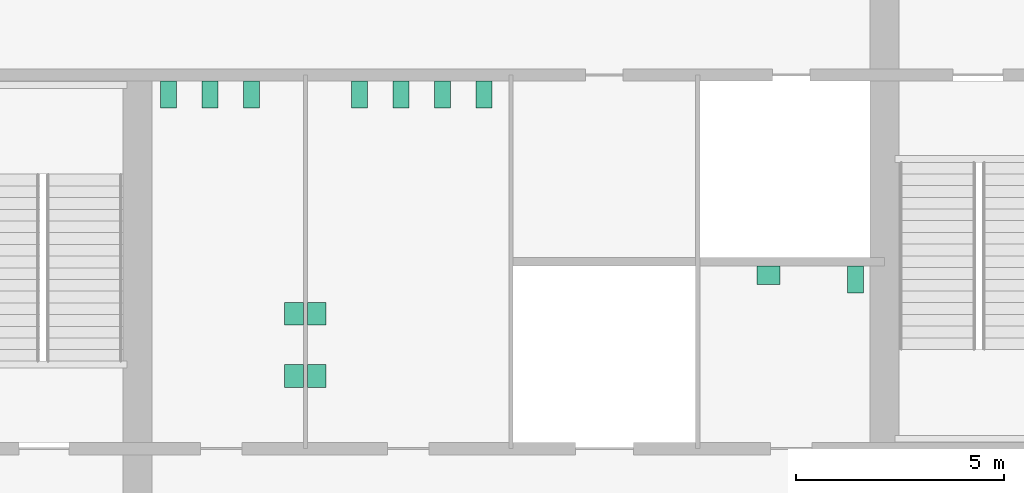
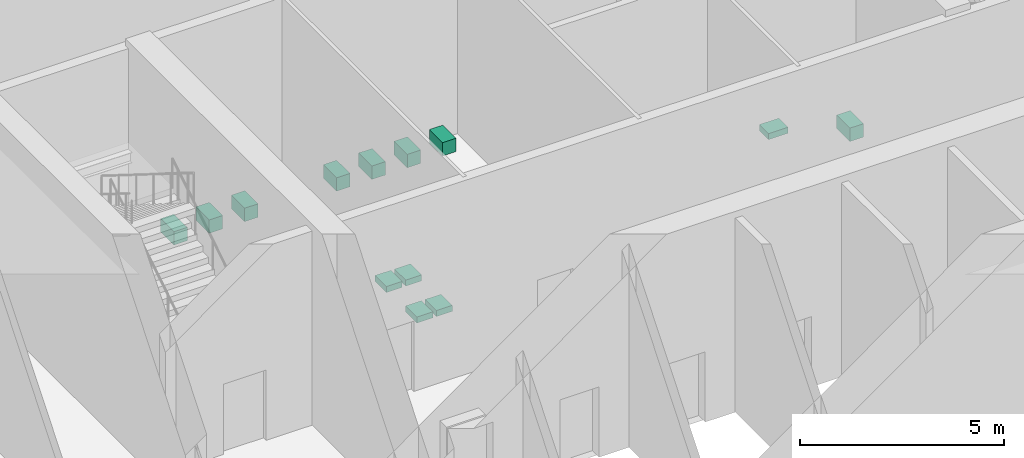
# One storey, part 13 of 13: 13 sanitary terminals.
"""IFC4 building model written with IfcOpenShell, lengths in metres."""

from ifc_helpers import new_model, si_unit, direction, frame, origin, origin_2d, place, context, subcontext, project, spatial, rectangle, extrude, material, type_object, element, save


model = new_model("IFC4")

# Units and contexts
model_context = context("Model", 3, precision=1e-05, world=origin(), true_north=direction((0.0, 1.0)))
body_context = subcontext(model_context, "Body", "Model", "MODEL_VIEW")
ifc_project = project(units=[si_unit("LENGTHUNIT", "METRE"), si_unit("AREAUNIT", "SQUARE_METRE"), si_unit("VOLUMEUNIT", "CUBIC_METRE"), si_unit("PLANEANGLEUNIT", "RADIAN"), si_unit("MASSUNIT", "GRAM", prefix="KILO")], contexts=[model_context])

# Site, building, storey
site_placement = place(None, origin())
site = spatial("IfcSite", under=ifc_project, at=site_placement, CompositionType="ELEMENT")
building_placement = place(site_placement, origin())
building = spatial("IfcBuilding", under=site, at=building_placement, Name="Corais Broadcast Tower", CompositionType="ELEMENT")
storey_placement = place(building_placement, frame((0.0, 0.0, 12.0)))
storey = spatial("IfcBuildingStorey", under=building, at=storey_placement, Name="L02", CompositionType="ELEMENT", Elevation=12.0)

# Sanitary terminals
ifc_material_1 = material(Name="Vitreous china", Category="ceramic")
sanitary_terminal_type_1 = type_object("IfcSanitaryTerminalType", Name="WC pan 380x650", PredefinedType="TOILETPAN", material=ifc_material_1)
for number, where, z_axis, x_axis, name in (
    (1, (18.75, 31.02490234375, 0.0), (0.0, 0.0, 1.0), (1.0, 0.0, 0.0), "SW1 WC pan, male toilets L02"),
    (2, (19.75, 31.02490234375, 0.0), (0.0, 0.0, 1.0), (1.0, 0.0, 0.0), "SW1 WC pan, male toilets L02"),
    (3, (20.75, 31.02490234375, 0.0), (0.0, 0.0, 1.0), (1.0, 0.0, 0.0), "SW1 WC pan, male toilets L02"),
    (4, (23.35009765625, 31.02490234375, 0.0), (0.0, 0.0, 1.0), (1.0, 0.0, 0.0), "SW1 WC pan, female toilets L02"),
    (5, (24.35009765625, 31.02490234375, 0.0), (0.0, 0.0, 1.0), (1.0, 0.0, 0.0), "SW1 WC pan, female toilets L02"),
    (6, (25.35009765625, 31.02490234375, 0.0), (0.0, 0.0, 1.0), (1.0, 0.0, 0.0), "SW1 WC pan, female toilets L02"),
    (7, (26.35009765625, 31.02490234375, 0.0), (0.0, 0.0, 1.0), (1.0, 0.0, 0.0), "SW1 WC pan, female toilets L02"),
    (8, (35.300048828125, 26.574951171875, 0.0), (0.0, 0.0, 1.0), (1.0, 0.0, 0.0), "SW1 WC pan, accessible WC L02"),
):
    element("IfcSanitaryTerminal", number, at=place(storey_placement, frame(where, z_axis=z_axis, x_axis=x_axis)), inside=storey, type_object=sanitary_terminal_type_1, Name=name, PredefinedType="TOILETPAN", context=body_context, shape_type="SweptSolid", body=[
        extrude(rectangle(XDim=0.3798828125, YDim=0.64990234375, at=origin_2d()), origin(), (0.0, 0.0, 1.0), 0.39990234375),
    ])
ifc_material_2 = material(Name="Vitreous china", Category="ceramic")
sanitary_terminal_type_2 = type_object("IfcSanitaryTerminalType", Name="Wash basin 550x450", PredefinedType="WASHHANDBASIN", material=ifc_material_2)
for number, where, z_axis, x_axis, name in (
    (9, (21.77490234375, 24.25, 0.7001953125), (0.0, 0.0, 1.0), (1.0, 0.0, 0.0), "WB1 wash basin, male toilets L02"),
    (10, (21.77490234375, 25.75, 0.7001953125), (0.0, 0.0, 1.0), (1.0, 0.0, 0.0), "WB1 wash basin, male toilets L02"),
    (11, (22.324951171875, 24.25, 0.7001953125), (0.0, 0.0, 1.0), (1.0, 0.0, 0.0), "WB1 wash basin, female toilets L02"),
    (12, (22.324951171875, 25.75, 0.7001953125), (0.0, 0.0, 1.0), (1.0, 0.0, 0.0), "WB1 wash basin, female toilets L02"),
):
    element("IfcSanitaryTerminal", number, at=place(storey_placement, frame(where, z_axis=z_axis, x_axis=x_axis)), inside=storey, type_object=sanitary_terminal_type_2, Name=name, PredefinedType="WASHHANDBASIN", context=body_context, shape_type="SweptSolid", body=[
        extrude(rectangle(XDim=0.449951171875, YDim=0.550048828125, at=origin_2d()), origin(), (0.0, 0.0, 1.0), 0.179931640625),
    ])
sanitary_terminal_placement = place(storey_placement, frame((33.199951171875, 26.675048828125, 0.7001953125), z_axis=(0.0, 0.0, 1.0), x_axis=(1.0, 0.0, 0.0)))
element("IfcSanitaryTerminal", 13, at=sanitary_terminal_placement, inside=storey, type_object=sanitary_terminal_type_2, Name="WB1 wash basin, accessible WC L02", PredefinedType="WASHHANDBASIN", context=body_context, shape_type="SweptSolid", body=[
    extrude(rectangle(XDim=0.550048828125, YDim=0.449951171875, at=origin_2d()), origin(), (0.0, 0.0, 1.0), 0.179931640625),
])

save(model, "model.ifc")
